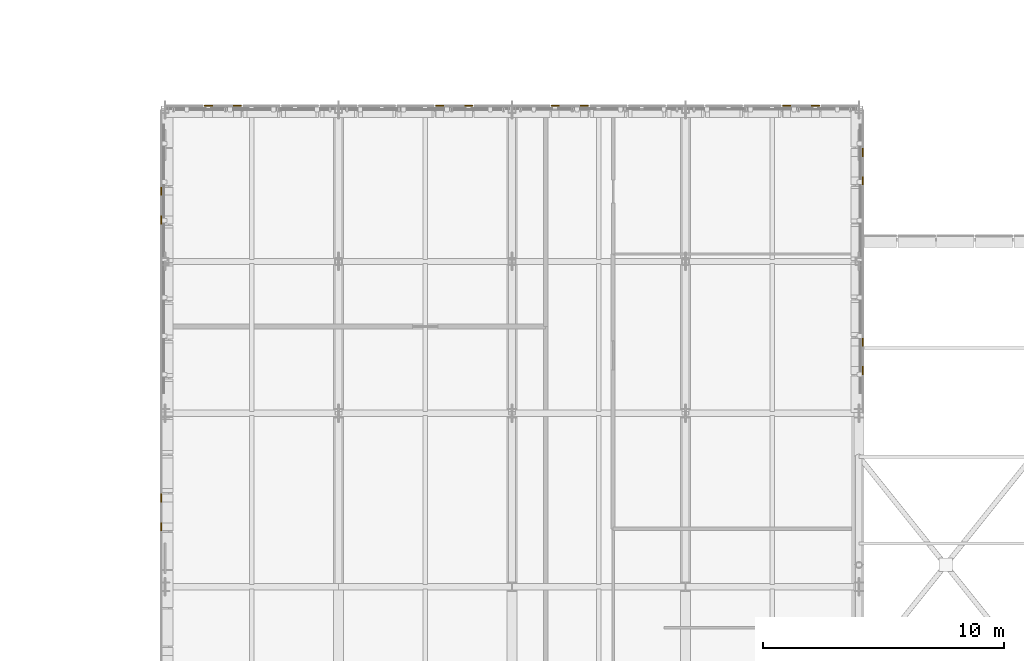
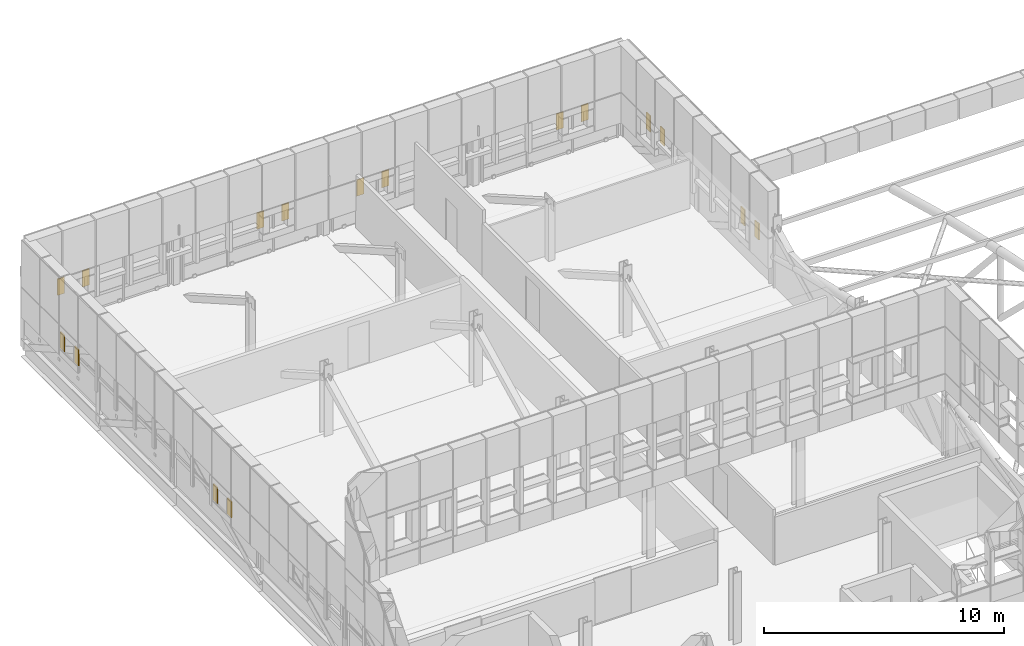
# One storey, part 96 of 96: 16 coverings.
"""IFC4 building model written with IfcOpenShell, lengths in metres."""

from ifc_helpers import new_model, si_unit, direction, frame, origin, origin_2d, place, context, subcontext, project, spatial, rectangle, extrude, material, layer, layer_set, type_object, element, save


model = new_model("IFC4")

# Units and contexts
model_context = context("Model", 3, precision=1e-05, world=origin(), true_north=direction((0.0, 1.0)))
body_context = subcontext(model_context, "Body", "Model", "MODEL_VIEW")
ifc_project = project(units=[si_unit("LENGTHUNIT", "METRE"), si_unit("AREAUNIT", "SQUARE_METRE"), si_unit("VOLUMEUNIT", "CUBIC_METRE"), si_unit("PLANEANGLEUNIT", "RADIAN"), si_unit("MASSUNIT", "GRAM", prefix="KILO")], contexts=[model_context])

# Site, building, storey
site_placement = place(None, origin())
site = spatial("IfcSite", under=ifc_project, at=site_placement, CompositionType="ELEMENT")
building_placement = place(site_placement, origin())
building = spatial("IfcBuilding", under=site, at=building_placement, Name="Yarey Park Central Fire Station", CompositionType="ELEMENT")
storey_placement = place(building_placement, frame((0.0, 0.0, 14.39990234375)))
storey = spatial("IfcBuildingStorey", under=building, at=storey_placement, Name="L04", CompositionType="ELEMENT", Elevation=14.39990234375)

# Coverings
ifc_material = material(Name="Perforated Powder-Coated Aluminium Cladding", Category="aluminium")
ifc_layer_1 = layer(ifc_material, 0.0419921875)
ifc_layer_set_1 = layer_set([ifc_layer_1], Name="Perforated Powder-Coated Aluminium Cladding")
covering_type_1 = type_object("IfcCoveringType", Name="ENV_COV_PERF_1", PredefinedType="CLADDING", material=ifc_layer_set_1)
for number, where, z_axis, x_axis, name in (
    (1, (57.760009765625, 96.050048828125, 1.22509765625), (0.0, 0.0, 1.0), (0.0, 1.0, 0.0), "PERF_L04_0518"),
    (2, (57.760009765625, 97.22509765625, 1.22509765625), (0.0, 0.0, 1.0), (0.0, 1.0, 0.0), "PERF_L04_0519"),
    (3, (45.0, 99.159912109375, 1.22509765625), (0.0, 0.0, 1.0), (1.0, 0.0, 0.0), "PERF_L04_0863"),
    (4, (46.199951171875, 99.159912109375, 1.22509765625), (0.0, 0.0, 1.0), (1.0, 0.0, 0.0), "PERF_L04_0864"),
    (5, (54.60009765625, 99.159912109375, 1.22509765625), (0.0, 0.0, 1.0), (1.0, 0.0, 0.0), "PERF_L04_0909"),
    (6, (55.800048828125, 99.159912109375, 1.22509765625), (0.0, 0.0, 1.0), (1.0, 0.0, 0.0), "PERF_L04_0910"),
):
    element("IfcCovering", number, at=place(storey_placement, frame(where, z_axis=z_axis, x_axis=x_axis)), inside=storey, type_object=covering_type_1, Name=name, PredefinedType="CLADDING", context=body_context, shape_type="SweptSolid", body=[
        extrude(rectangle(XDim=0.340087890625, YDim=0.0419921875, at=origin_2d()), origin(), (0.0, 0.0, 1.0), 0.820068359375),
    ])
ifc_layer_2 = layer(ifc_material, 0.053955078125)
ifc_layer_set_2 = layer_set([ifc_layer_2], Name="Perforated Powder-Coated Aluminium Cladding")
covering_type_2 = type_object("IfcCoveringType", Name="ENV_COV_PERF_2", PredefinedType="CLADDING", material=ifc_layer_set_2)
for number, where, z_axis, x_axis, name in (
    (7, (57.760009765625, 88.175048828125, 1.22509765625), (0.0, 0.0, 1.0), (0.0, 1.0, 0.0), "PERF_L04_0479"),
    (8, (57.760009765625, 89.35009765625, 1.22509765625), (0.0, 0.0, 1.0), (0.0, 1.0, 0.0), "PERF_L04_0480"),
    (9, (28.639892578125, 81.684814453125, 1.22509765625), (0.0, 0.0, 1.0), (0.0, 1.0, 0.0), "PERF_L04_0710"),
    (10, (28.639892578125, 82.876953125, 1.22509765625), (0.0, 0.0, 1.0), (0.0, 1.0, 0.0), "PERF_L04_0711"),
    (11, (28.639892578125, 94.423095703125, 1.22509765625), (0.0, 0.0, 1.0), (0.0, 1.0, 0.0), "PERF_L04_0770"),
    (12, (28.639892578125, 95.615234375, 1.22509765625), (0.0, 0.0, 1.0), (0.0, 1.0, 0.0), "PERF_L04_0771"),
    (13, (30.60009765625, 99.159912109375, 1.22509765625), (0.0, 0.0, 1.0), (1.0, 0.0, 0.0), "PERF_L04_0796"),
    (14, (31.800048828125, 99.159912109375, 1.22509765625), (0.0, 0.0, 1.0), (1.0, 0.0, 0.0), "PERF_L04_0797"),
    (15, (40.199951171875, 99.159912109375, 1.22509765625), (0.0, 0.0, 1.0), (1.0, 0.0, 0.0), "PERF_L04_0842"),
    (16, (41.39990234375, 99.159912109375, 1.22509765625), (0.0, 0.0, 1.0), (1.0, 0.0, 0.0), "PERF_L04_0843"),
):
    element("IfcCovering", number, at=place(storey_placement, frame(where, z_axis=z_axis, x_axis=x_axis)), inside=storey, type_object=covering_type_2, Name=name, PredefinedType="CLADDING", context=body_context, shape_type="SweptSolid", body=[
        extrude(rectangle(XDim=0.340087890625, YDim=0.053955078125, at=origin_2d()), origin(), (0.0, 0.0, 1.0), 0.820068359375),
    ])

save(model, "model.ifc")
